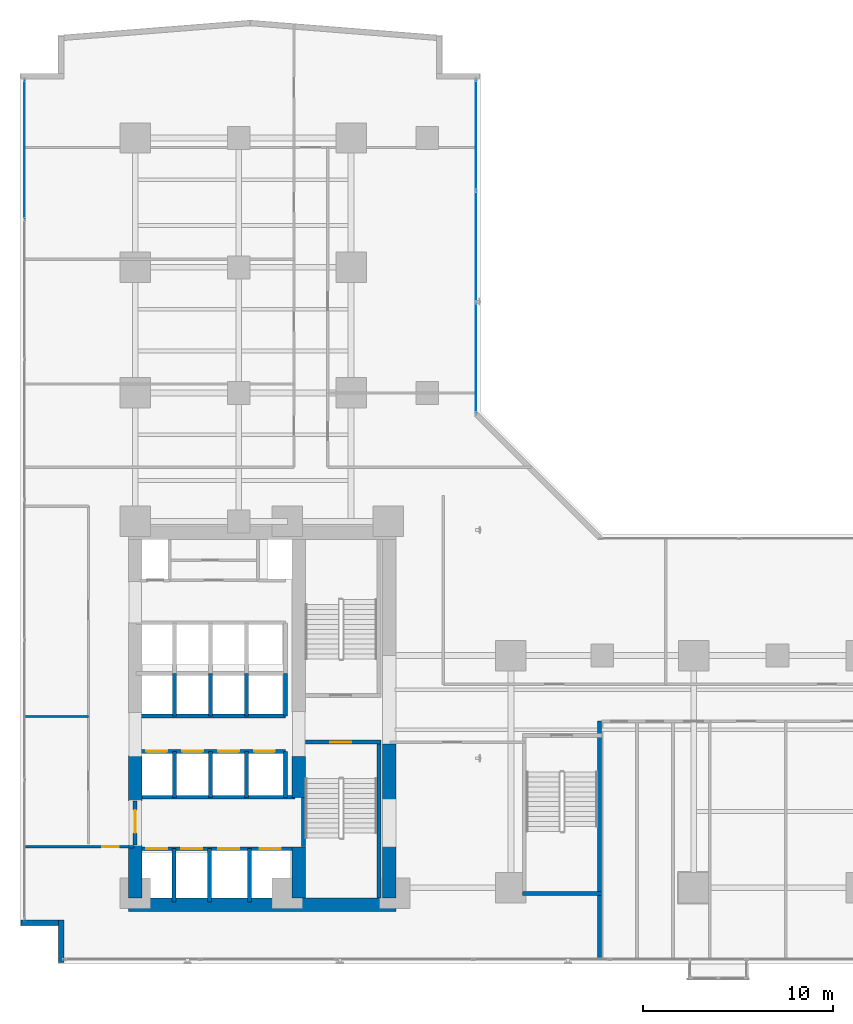
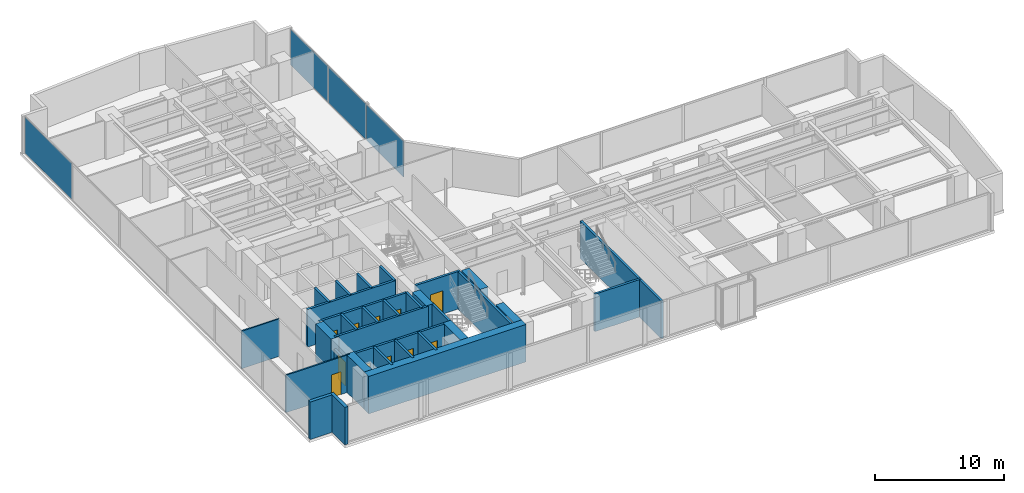
# One storey, part 22 of 28: 32 walls, 11 doors, 4 plates, 11 openings, 2 elements without a shape of their own.
"""IFC4 building model written with IfcOpenShell, lengths in metres."""

from ifc_helpers import new_model, si_unit, direction, frame, frame_2d, origin, origin_with_axes, origin_2d, place, context, subcontext, project, spatial, rectangle, extrude, source, transform, mapped, material, layer, layer_set, type_object, element, fill, aggregate, save


model = new_model("IFC4")

# Units and contexts
model_context = context("Model", 3, precision=1e-05, world=origin(), true_north=direction((0.0, 1.0)))
body_context = subcontext(model_context, "Body", "Model", "MODEL_VIEW")
ifc_project = project(units=[si_unit("LENGTHUNIT", "METRE"), si_unit("AREAUNIT", "SQUARE_METRE"), si_unit("VOLUMEUNIT", "CUBIC_METRE"), si_unit("PLANEANGLEUNIT", "RADIAN"), si_unit("MASSUNIT", "GRAM", prefix="KILO")], contexts=[model_context])

# Site, building, storey
site_placement = place(None, origin())
site = spatial("IfcSite", under=ifc_project, at=site_placement, CompositionType="ELEMENT")
building_placement = place(site_placement, origin())
building = spatial("IfcBuilding", under=site, at=building_placement, Name="Kolvaren Waterfront Exchange", CompositionType="ELEMENT")
storey_placement = place(building_placement, frame((0.0, 0.0, 56.199951171875)))
storey = spatial("IfcBuildingStorey", under=building, at=storey_placement, Name="L14", CompositionType="ELEMENT", Elevation=56.199951171875)

# Curtain wall, plate
ifc_material_1 = material(Name="Anodised aluminium 6063-T6", Category="aluminium")
ifc_layer_1 = layer(ifc_material_1, 0.219970703125, Name="Anodised aluminium 6063-T6")
ifc_layer_set_1 = layer_set([ifc_layer_1], Name="Anodised aluminium 6063-T6")
curtain_wall_type_1 = type_object("IfcCurtainWallType", Name="ARC-CW-SYS2", PredefinedType="USERDEFINED", material=ifc_layer_set_1)
curtain_wall_1_placement = place(storey_placement, origin())
curtain_wall_1 = element("IfcCurtainWall", 1, at=curtain_wall_1_placement, inside=storey, type_object=curtain_wall_type_1, Name="L14 stick curtain wall CW2 (CW-L14-W)", ObjectType="STICK CURTAIN WALL", PredefinedType="USERDEFINED")
ifc_material_2 = material(Name="Acoustic laminated vision glass", Category="glass")
ifc_layer_2 = layer(ifc_material_2, 0.031982421875, Name="Acoustic laminated vision glass")
ifc_layer_set_2 = layer_set([ifc_layer_2], Name="Acoustic laminated vision glass")
plate_type_1 = type_object("IfcPlateType", Name="ARC-CWP-32", PredefinedType="CURTAIN_PANEL", material=ifc_layer_set_2)
shared_shape_1 = source(origin_with_axes(), body_context, "Body", "SweptSolid", [
    extrude(rectangle(XDim=7.24658203125, YDim=0.031982421875, at=origin_2d()), origin(), (0.0, 0.0, 1.0), 3.389892578125),
])
plate_1_placement = place(storey_placement, frame((1.639892578125, 43.99658203125, 0.0751953125), z_axis=(0.0, 0.0, 1.0), x_axis=(0.0, 1.0, 0.0)))
plate_1 = element("IfcPlate", 2, at=plate_1_placement, type_object=plate_type_1, Name="CW2 panel 6.1", PredefinedType="CURTAIN_PANEL", context=body_context, shape_type="MappedRepresentation", body=[
    mapped(shared_shape_1, transform((0.0, 0.0, 0.0), x_axis=(1.0, 0.0, 0.0), y_axis=(0.0, 1.0, 0.0), z_axis=(0.0, 0.0, 1.0), scale=1.0)),
])
aggregate(curtain_wall_1, [plate_1])

# Curtain wall, plates
ifc_material_3 = material(Name="Anodised bronze aluminium 6063-T6", Category="aluminium")
ifc_layer_3 = layer(ifc_material_3, 0.219970703125, Name="Anodised bronze aluminium 6063-T6")
ifc_layer_set_3 = layer_set([ifc_layer_3], Name="Anodised bronze aluminium 6063-T6")
curtain_wall_type_2 = type_object("IfcCurtainWallType", Name="ARC-CW-SYS1", PredefinedType="USERDEFINED", material=ifc_layer_set_3)
curtain_wall_2_placement = place(storey_placement, origin())
curtain_wall_2 = element("IfcCurtainWall", 3, at=curtain_wall_2_placement, inside=storey, type_object=curtain_wall_type_2, Name="L14 stick curtain wall CW1 (CW-L14-NE)", ObjectType="STICK CURTAIN WALL", PredefinedType="USERDEFINED")
ifc_material_4 = material(Name="Bronze solar control vision glass", Category="aluminium")
ifc_layer_4 = layer(ifc_material_4, 0.028076171875, Name="Bronze solar control vision glass")
ifc_layer_set_4 = layer_set([ifc_layer_4], Name="Bronze solar control vision glass")
plate_type_2 = type_object("IfcPlateType", Name="ARC-CWP-28", PredefinedType="CURTAIN_PANEL", material=ifc_layer_set_4)
shared_shape_2 = source(origin_with_axes(), body_context, "Body", "SweptSolid", [
    extrude(rectangle(XDim=5.75, YDim=0.028076171875, at=origin_2d()), origin(), (0.0, 0.0, 1.0), 3.389892578125),
])
plate_2_placement = place(storey_placement, frame((25.360107421875, 33.044921875, 0.0751953125), z_axis=(0.0, 0.0, 1.0), x_axis=(0.0, 1.0, 0.0)))
plate_2 = element("IfcPlate", 4, at=plate_2_placement, type_object=plate_type_2, Name="CW1 panel 1.1", PredefinedType="CURTAIN_PANEL", context=body_context, shape_type="MappedRepresentation", body=[
    mapped(shared_shape_2, transform((0.0, 0.0, 0.0), x_axis=(1.0, 0.0, 0.0), y_axis=(0.0, 1.0, 0.0), z_axis=(0.0, 0.0, 1.0), scale=1.0)),
])
plate_3_placement = place(storey_placement, frame((25.360107421875, 44.7451171875, 0.0751953125), z_axis=(0.0, 0.0, 1.0), x_axis=(0.0, 1.0, 0.0)))
plate_3 = element("IfcPlate", 5, at=plate_3_placement, type_object=plate_type_2, Name="CW1 panel 3.1", PredefinedType="CURTAIN_PANEL", context=body_context, shape_type="MappedRepresentation", body=[
    mapped(shared_shape_2, transform((0.0, 0.0, 0.0), x_axis=(1.0, 0.0, 0.0), y_axis=(0.0, 1.0, 0.0), z_axis=(0.0, 0.0, 1.0), scale=1.0)),
])
shared_shape_3 = source(origin_with_axes(), body_context, "Body", "SweptSolid", [
    extrude(rectangle(XDim=5.7900390625, YDim=0.028076171875, at=origin_2d()), origin(), (0.0, 0.0, 1.0), 3.389892578125),
])
plate_4_placement = place(storey_placement, frame((25.360107421875, 38.89501953125, 0.0751953125), z_axis=(0.0, 0.0, 1.0), x_axis=(0.0, 1.0, 0.0)))
plate_4 = element("IfcPlate", 6, at=plate_4_placement, type_object=plate_type_2, Name="CW1 panel 2.1", PredefinedType="CURTAIN_PANEL", context=body_context, shape_type="MappedRepresentation", body=[
    mapped(shared_shape_3, transform((0.0, 0.0, 0.0), x_axis=(1.0, 0.0, 0.0), y_axis=(0.0, 1.0, 0.0), z_axis=(0.0, 0.0, 1.0), scale=1.0)),
])
aggregate(curtain_wall_2, [plate_2, plate_4, plate_3])

# Walls
ifc_material_5 = material(Name="Precast concrete C40/50", Category="concrete")
ifc_layer_5 = layer(ifc_material_5, 0.280029296875, Name="Precast concrete C40/50")
ifc_layer_set_5 = layer_set([ifc_layer_5], Name="Precast concrete C40/50")
wall_type_1 = type_object("IfcWallType", Name="ARC-EXT-TERR-280", PredefinedType="SOLIDWALL", material=ifc_layer_set_5)
wall_1_placement = place(storey_placement, frame((3.56005859375, 1.260009765625, 0.0), z_axis=(0.0, 0.0, 1.0), x_axis=(0.0, 1.0, 0.0)))
element("IfcWall", 7, at=wall_1_placement, inside=storey, type_object=wall_type_1, Name="L14 notched corner spandrel pier SW-A", PredefinedType="SOLIDWALL", context=body_context, shape_type="SweptSolid", body=[
    extrude(rectangle(XDim=2.239990234375, YDim=0.280029296875, at=frame_2d((1.1201171875, 0.0))), origin(), (0.0, 0.0, 1.0), 3.5400390625),
])
wall_2_placement = place(storey_placement, frame((1.4599609375, 3.360107421875, 0.0), z_axis=(0.0, 0.0, 1.0), x_axis=(1.0, 0.0, 0.0)))
element("IfcWall", 8, at=wall_2_placement, inside=storey, type_object=wall_type_1, Name="L14 notched corner spandrel pier SW-B", PredefinedType="SOLIDWALL", context=body_context, shape_type="SweptSolid", body=[
    extrude(rectangle(XDim=1.9599609375, YDim=0.280029296875, at=frame_2d((0.97998046875, 0.0))), origin(), (0.0, 0.0, 1.0), 3.5400390625),
])

# Wall, opening, door
ifc_layer_6 = layer(ifc_material_5, 0.199951171875, Name="Precast concrete C40/50")
ifc_layer_set_6 = layer_set([ifc_layer_6], Name="Precast concrete C40/50")
wall_type_2 = type_object("IfcWallType", Name="ARC-FIRE-200", PredefinedType="PARTITIONING", material=ifc_layer_set_6)
wall_3_placement = place(storey_placement, frame((16.39990234375, 12.85009765625, 0.0), z_axis=(0.0, 0.0, 1.0), x_axis=(1.0, 0.0, 0.0)))
wall_3 = element("IfcWall", 9, at=wall_3_placement, inside=storey, type_object=wall_type_2, Name="L14 interior wall PW-L14-ST1-THROAT-S", PredefinedType="PARTITIONING", context=body_context, shape_type="SweptSolid", body=[
    extrude(rectangle(XDim=3.960205078125, YDim=0.199951171875, at=frame_2d((1.97998046875, 0.0))), origin(), (0.0, 0.0, 1.0), 3.5400390625),
])
opening_1_placement = place(wall_3_placement, frame((1.3037109375, 0.0, 0.0)))
opening_1 = element("IfcOpeningElement", 10, at=opening_1_placement, cuts=wall_3, Name="Opening FD2", PredefinedType="OPENING", context=body_context, shape_type="SweptSolid", body=[
    extrude(rectangle(XDim=1.10009765625, YDim=2.199951171875, at=frame_2d((0.550048828125, 1.10009765625))), frame((0.0, 0.10986328125, 0.0), z_axis=(0.0, -1.0, 0.0), x_axis=(1.0, 0.0, 0.0)), (0.0, 0.0, 1.0), 0.219970703125),
])
ifc_material_6 = material(Name="Pressed steel smoke-seal fire door", Category="steel")
door_type_1 = type_object("IfcDoorType", Name="ARC-FD-1100", OperationType="NOTDEFINED", PredefinedType="DOOR", material=ifc_material_6)
door_1_placement = place(opening_1_placement, frame((1.10009765625, 0.0, 0.0), z_axis=(0.0, 0.0, 1.0), x_axis=(-1.0, 0.0, 0.0)))
door_1 = element("IfcDoor", 11, at=door_1_placement, inside=storey, type_object=door_type_1, Name="L14 door DR-L14-ST1-IN (FD2)", OperationType="SINGLE_SWING_LEFT", OverallHeight=2.199951171875, OverallWidth=1.10009765625, PredefinedType="DOOR", context=body_context, shape_type="SweptSolid", body=[
    extrude(rectangle(XDim=1.10009765625, YDim=2.199951171875, at=frame_2d((0.550048828125, 1.10009765625))), frame((0.0, 0.02490234375, 0.0), z_axis=(0.0, -1.0, 0.0), x_axis=(1.0, 0.0, 0.0)), (0.0, 0.0, 1.0), 0.050048828125),
])
fill(opening_1, door_1)

# Wall
wall_4_placement = place(storey_placement, frame((7.5, 9.949951171875, 0.0), z_axis=(0.0, 0.0, 1.0), x_axis=(1.0, 0.0, 0.0)))
element("IfcWall", 12, at=wall_4_placement, inside=storey, type_object=wall_type_2, Name="L14 interior wall PW-L14-FF-N", PredefinedType="PARTITIONING", context=body_context, shape_type="SweptSolid", body=[
    extrude(rectangle(XDim=8.35009765625, YDim=0.199951171875, at=frame_2d((4.175048828125, 0.0))), origin(), (0.0, 0.0, 1.0), 3.5400390625),
])

# Wall, opening, door
wall_5_placement = place(storey_placement, frame((7.449951171875, 7.449951171875, 0.0), z_axis=(0.0, 0.0, 1.0), x_axis=(0.0, 1.0, 0.0)))
wall_5 = element("IfcWall", 13, at=wall_5_placement, inside=storey, type_object=wall_type_2, Name="L14 interior wall PW-L14-FF-W-DOOR", PredefinedType="PARTITIONING", context=body_context, shape_type="SweptSolid", body=[
    extrude(rectangle(XDim=2.300048828125, YDim=0.199951171875, at=frame_2d((1.14990234375, 0.0))), origin(), (0.0, 0.0, 1.0), 2.52001953125),
])
opening_2_placement = place(wall_5_placement, frame((0.63330078125, 0.0, 0.0)))
opening_2 = element("IfcOpeningElement", 14, at=opening_2_placement, cuts=wall_5, Name="Opening FD3", PredefinedType="OPENING", context=body_context, shape_type="SweptSolid", body=[
    extrude(rectangle(XDim=1.199951171875, YDim=2.25, at=frame_2d((0.60009765625, 1.125))), frame((0.0, 0.10986328125, 0.0), z_axis=(0.0, -1.0, 0.0), x_axis=(1.0, 0.0, 0.0)), (0.0, 0.0, 1.0), 0.219970703125),
])
ifc_material_7 = material(Name="Pressed steel fire door", Category="steel")
door_type_2 = type_object("IfcDoorType", Name="ARC-FD-1200", OperationType="NOTDEFINED", PredefinedType="DOOR", material=ifc_material_7)
door_2_placement = place(opening_2_placement, frame((1.199951171875, 0.0, 0.0), z_axis=(0.0, 0.0, 1.0), x_axis=(-1.0, 0.0, 0.0)))
door_2 = element("IfcDoor", 15, at=door_2_placement, inside=storey, type_object=door_type_2, Name="L14 door DR-L14-FF-OUT (FD3)", OperationType="SINGLE_SWING_RIGHT", OverallHeight=2.25, OverallWidth=1.199951171875, PredefinedType="DOOR", context=body_context, shape_type="SweptSolid", body=[
    extrude(rectangle(XDim=1.199951171875, YDim=2.25, at=frame_2d((0.60009765625, 1.125))), frame((0.0, 0.02490234375, 0.0), z_axis=(0.0, -1.0, 0.0), x_axis=(1.0, 0.0, 0.0)), (0.0, 0.0, 1.0), 0.050048828125),
])
fill(opening_2, door_2)

ifc_material_8 = material(Name="Acoustic gypsum steel stud", Category="steel")
ifc_layer_7 = layer(ifc_material_8, 0.125, Name="Acoustic gypsum steel stud")
ifc_layer_set_7 = layer_set([ifc_layer_7], Name="Acoustic gypsum steel stud")
wall_type_3 = type_object("IfcWallType", Name="ARC-PART-125", PredefinedType="PARTITIONING", material=ifc_layer_set_7)
wall_6_placement = place(storey_placement, frame((1.639892578125, 7.35009765625, 0.0), z_axis=(0.0, 0.0, 1.0), x_axis=(1.0, 0.0, 0.0)))
wall_6 = element("IfcWall", 16, at=wall_6_placement, inside=storey, type_object=wall_type_3, Name="L14 interior wall PW-L14-SWC-N", PredefinedType="PARTITIONING", context=body_context, shape_type="SweptSolid", body=[
    extrude(rectangle(XDim=5.760009765625, YDim=0.125, at=frame_2d((2.8798828125, 0.0))), origin(), (0.0, 0.0, 1.0), 3.5400390625),
])
opening_3_placement = place(wall_6_placement, frame((4.086669921875, 0.0, 0.0)))
opening_3 = element("IfcOpeningElement", 17, at=opening_3_placement, cuts=wall_6, Name="Opening D01", PredefinedType="OPENING", context=body_context, shape_type="SweptSolid", body=[
    extrude(rectangle(XDim=0.85009765625, YDim=2.14990234375, at=frame_2d((0.425048828125, 1.074951171875))), frame((0.0, 0.072509765625, 0.0), z_axis=(0.0, -1.0, 0.0), x_axis=(1.0, 0.0, 0.0)), (0.0, 0.0, 1.0), 0.14501953125),
])
ifc_material_9 = material(Name="Oak veneer timber leaf", Category="wood")
door_type_3 = type_object("IfcDoorType", Name="ARC-DR-900", OperationType="NOTDEFINED", PredefinedType="DOOR", material=ifc_material_9)
door_3_placement = place(opening_3_placement, origin())
door_3 = element("IfcDoor", 18, at=door_3_placement, inside=storey, type_object=door_type_3, Name="L14 door DR-L14-SWC-D (D01)", OperationType="SINGLE_SWING_LEFT", OverallHeight=2.14990234375, OverallWidth=0.85009765625, PredefinedType="DOOR", context=body_context, shape_type="SweptSolid", body=[
    extrude(rectangle(XDim=0.85009765625, YDim=2.14990234375, at=frame_2d((0.425048828125, 1.074951171875))), frame((0.0, 0.02490234375, 0.0), z_axis=(0.0, -1.0, 0.0), x_axis=(1.0, 0.0, 0.0)), (0.0, 0.0, 1.0), 0.050048828125),
])
fill(opening_3, door_3)

# Walls
wall_7_placement = place(storey_placement, frame((1.639892578125, 14.199951171875, 0.0), z_axis=(0.0, 0.0, 1.0), x_axis=(1.0, 0.0, 0.0)))
element("IfcWall", 19, at=wall_7_placement, inside=storey, type_object=wall_type_3, Name="L14 interior wall PW-L14-WFLANK-MID", PredefinedType="PARTITIONING", context=body_context, shape_type="SweptSolid", body=[
    extrude(rectangle(XDim=3.360107421875, YDim=0.125, at=frame_2d((1.68017578125, 0.0))), origin(), (0.0, 0.0, 1.0), 3.5400390625),
])
ifc_material_10 = material(Name="Concrete C40/50", Category="concrete")
ifc_layer_8 = layer(ifc_material_10, 0.199951171875, Name="Concrete C40/50")
ifc_layer_set_8 = layer_set([ifc_layer_8], Name="Concrete C40/50")
wall_type_4 = type_object("IfcWallType", Name="ARC-SHAFT-200", PredefinedType="PARTITIONING", material=ifc_layer_set_8)
wall_8_placement = place(storey_placement, frame((16.300048828125, 7.360107421875, 0.0), z_axis=(0.0, 0.0, 1.0), x_axis=(0.0, 1.0, 0.0)))
element("IfcWall", 20, at=wall_8_placement, inside=storey, type_object=wall_type_4, Name="L14 structural stairwell wall PW-L14-ST1-W", PredefinedType="SHEAR", context=body_context, shape_type="SweptSolid", body=[
    extrude(rectangle(XDim=2.579833984375, YDim=0.199951171875, at=frame_2d((1.2900390625, 0.0))), origin(), (0.0, 0.0, 1.0), 3.5400390625),
])
wall_9_placement = place(storey_placement, frame((20.260009765625, 4.659912109375, 0.0), z_axis=(0.0, 0.0, 1.0), x_axis=(0.0, 1.0, 0.0)))
element("IfcWall", 21, at=wall_9_placement, inside=storey, type_object=wall_type_4, Name="L14 structural stairwell wall PW-L14-ST1-E", PredefinedType="SHEAR", context=body_context, shape_type="SweptSolid", body=[
    extrude(rectangle(XDim=8.090087890625, YDim=0.199951171875, at=frame_2d((4.044921875, 0.0))), origin(), (0.0, 0.0, 1.0), 3.5400390625),
])
wall_10_placement = place(storey_placement, frame((31.860107421875, 1.43994140625, 0.0), z_axis=(0.0, 0.0, 1.0), x_axis=(0.0, 1.0, 0.0)))
element("IfcWall", 22, at=wall_10_placement, inside=storey, type_object=wall_type_4, Name="L14 structural stairwell wall PW-L14-ST3-E", PredefinedType="SHEAR", context=body_context, shape_type="SweptSolid", body=[
    extrude(rectangle(XDim=12.510009765625, YDim=0.199951171875, at=frame_2d((6.2548828125, 0.0))), origin(), (0.0, 0.0, 1.0), 3.5400390625),
])
wall_11_placement = place(storey_placement, frame((27.800048828125, 4.89990234375, 0.0), z_axis=(0.0, 0.0, 1.0), x_axis=(1.0, 0.0, 0.0)))
element("IfcWall", 23, at=wall_11_placement, inside=storey, type_object=wall_type_4, Name="L14 structural stairwell wall PW-L14-ST3-S", PredefinedType="SHEAR", context=body_context, shape_type="SweptSolid", body=[
    extrude(rectangle(XDim=4.159912109375, YDim=0.199951171875, at=frame_2d((2.080078125, 0.0))), origin(), (0.0, 0.0, 1.0), 3.5400390625),
])

# Wall, openings, doors
wall_12_placement = place(storey_placement, frame((7.5, 7.25, 0.0), z_axis=(0.0, 0.0, 1.0), x_axis=(1.0, 0.0, 0.0)))
wall_12 = element("IfcWall", 24, at=wall_12_placement, inside=storey, type_object=wall_type_4, Name="L14 interior wall PW-L14-FF-S", PredefinedType="PARTITIONING", context=body_context, shape_type="SweptSolid", body=[
    extrude(rectangle(XDim=8.35009765625, YDim=0.199951171875, at=frame_2d((4.175048828125, 0.0))), origin(), (0.0, 0.0, 1.0), 3.5400390625),
])
opening_4_placement = place(wall_12_placement, frame((0.530029296875, 0.0, 0.0)))
opening_4 = element("IfcOpeningElement", 25, at=opening_4_placement, cuts=wall_12, Name="Opening LD1", PredefinedType="OPENING", context=body_context, shape_type="SweptSolid", body=[
    extrude(rectangle(XDim=1.10009765625, YDim=2.199951171875, at=frame_2d((0.550048828125, 1.10009765625))), frame((0.0, 0.10986328125, 0.0), z_axis=(0.0, -1.0, 0.0), x_axis=(1.0, 0.0, 0.0)), (0.0, 0.0, 1.0), 0.219970703125),
])
opening_5_placement = place(wall_12_placement, frame((2.3701171875, 0.0, 0.0)))
opening_5 = element("IfcOpeningElement", 26, at=opening_5_placement, cuts=wall_12, Name="Opening LD1", PredefinedType="OPENING", context=body_context, shape_type="SweptSolid", body=[
    extrude(rectangle(XDim=1.10009765625, YDim=2.199951171875, at=frame_2d((0.550048828125, 1.10009765625))), frame((0.0, 0.10986328125, 0.0), z_axis=(0.0, -1.0, 0.0), x_axis=(1.0, 0.0, 0.0)), (0.0, 0.0, 1.0), 0.219970703125),
])
opening_6_placement = place(wall_12_placement, frame((4.330078125, 0.0, 0.0)))
opening_6 = element("IfcOpeningElement", 27, at=opening_6_placement, cuts=wall_12, Name="Opening LD1", PredefinedType="OPENING", context=body_context, shape_type="SweptSolid", body=[
    extrude(rectangle(XDim=1.10009765625, YDim=2.199951171875, at=frame_2d((0.550048828125, 1.10009765625))), frame((0.0, 0.10986328125, 0.0), z_axis=(0.0, -1.0, 0.0), x_axis=(1.0, 0.0, 0.0)), (0.0, 0.0, 1.0), 0.219970703125),
])
opening_7_placement = place(wall_12_placement, frame((6.5, 0.0, 0.0)))
opening_7 = element("IfcOpeningElement", 28, at=opening_7_placement, cuts=wall_12, Name="Opening LD1", PredefinedType="OPENING", context=body_context, shape_type="SweptSolid", body=[
    extrude(rectangle(XDim=1.10009765625, YDim=2.199951171875, at=frame_2d((0.550048828125, 1.10009765625))), frame((0.0, 0.10986328125, 0.0), z_axis=(0.0, -1.0, 0.0), x_axis=(1.0, 0.0, 0.0)), (0.0, 0.0, 1.0), 0.219970703125),
])
ifc_material_11 = material(Name="Stainless steel sliding landing door", Category="steel")
door_type_4 = type_object("IfcDoorType", Name="ARC-LD-FF", OperationType="SLIDING_TO_LEFT", PredefinedType="DOOR", material=ifc_material_11)
door_4_placement = place(opening_4_placement, origin())
door_4 = element("IfcDoor", 29, at=door_4_placement, inside=storey, type_object=door_type_4, Name="L14 door LD-L14-FFL1 (LD1)", OperationType="SLIDING_TO_LEFT", OverallHeight=2.199951171875, OverallWidth=1.10009765625, PredefinedType="DOOR", context=body_context, shape_type="SweptSolid", body=[
    extrude(rectangle(XDim=1.10009765625, YDim=2.199951171875, at=frame_2d((0.550048828125, 1.10009765625))), frame((0.0, 0.02490234375, 0.0), z_axis=(0.0, -1.0, 0.0), x_axis=(1.0, 0.0, 0.0)), (0.0, 0.0, 1.0), 0.050048828125),
])
fill(opening_4, door_4)
door_5_placement = place(opening_5_placement, origin())
door_5 = element("IfcDoor", 30, at=door_5_placement, inside=storey, type_object=door_type_4, Name="L14 door LD-L14-FFL2 (LD1)", OperationType="SLIDING_TO_LEFT", OverallHeight=2.199951171875, OverallWidth=1.10009765625, PredefinedType="DOOR", context=body_context, shape_type="SweptSolid", body=[
    extrude(rectangle(XDim=1.10009765625, YDim=2.199951171875, at=frame_2d((0.550048828125, 1.10009765625))), frame((0.0, 0.02490234375, 0.0), z_axis=(0.0, -1.0, 0.0), x_axis=(1.0, 0.0, 0.0)), (0.0, 0.0, 1.0), 0.050048828125),
])
fill(opening_5, door_5)
door_6_placement = place(opening_6_placement, origin())
door_6 = element("IfcDoor", 31, at=door_6_placement, inside=storey, type_object=door_type_4, Name="L14 door LD-L14-GL1 (LD1)", OperationType="SLIDING_TO_LEFT", OverallHeight=2.199951171875, OverallWidth=1.10009765625, PredefinedType="DOOR", context=body_context, shape_type="SweptSolid", body=[
    extrude(rectangle(XDim=1.10009765625, YDim=2.199951171875, at=frame_2d((0.550048828125, 1.10009765625))), frame((0.0, 0.02490234375, 0.0), z_axis=(0.0, -1.0, 0.0), x_axis=(1.0, 0.0, 0.0)), (0.0, 0.0, 1.0), 0.050048828125),
])
fill(opening_6, door_6)
door_7_placement = place(opening_7_placement, origin())
door_7 = element("IfcDoor", 32, at=door_7_placement, inside=storey, type_object=door_type_4, Name="L14 door LD-L14-GL2 (LD1)", OperationType="SLIDING_TO_LEFT", OverallHeight=2.199951171875, OverallWidth=1.10009765625, PredefinedType="DOOR", context=body_context, shape_type="SweptSolid", body=[
    extrude(rectangle(XDim=1.10009765625, YDim=2.199951171875, at=frame_2d((0.550048828125, 1.10009765625))), frame((0.0, 0.02490234375, 0.0), z_axis=(0.0, -1.0, 0.0), x_axis=(1.0, 0.0, 0.0)), (0.0, 0.0, 1.0), 0.050048828125),
])
fill(opening_7, door_7)

# Walls
for number, where, z_axis, x_axis, name in (
    (33, (9.5, 4.449951171875, 0.0), (0.0, 0.0, 1.0), (0.0, 1.0, 0.0), "L14 interior wall PW-L14-SH1-DIV-95"),
    (34, (11.360107421875, 4.449951171875, 0.0), (0.0, 0.0, 1.0), (0.0, 1.0, 0.0), "L14 interior wall PW-L14-SH1-DIV-113"),
    (35, (13.4599609375, 4.449951171875, 0.0), (0.0, 0.0, 1.0), (0.0, 1.0, 0.0), "L14 interior wall PW-L14-SH1-DIV-134"),
):
    element("IfcWall", number, at=place(storey_placement, frame(where, z_axis=z_axis, x_axis=x_axis)), inside=storey, type_object=wall_type_4, Name=name, PredefinedType="PARTITIONING", context=body_context, shape_type="SweptSolid", body=[
        extrude(rectangle(XDim=2.800048828125, YDim=0.199951171875, at=frame_2d((1.39990234375, 0.0))), origin(), (0.0, 0.0, 1.0), 3.5400390625),
    ])

# Wall, openings, doors
wall_13_placement = place(storey_placement, frame((7.5, 12.360107421875, 0.0), z_axis=(0.0, 0.0, 1.0), x_axis=(1.0, 0.0, 0.0)))
wall_13 = element("IfcWall", 36, at=wall_13_placement, inside=storey, type_object=wall_type_4, Name="L14 interior wall PW-L14-PL-N", PredefinedType="PARTITIONING", context=body_context, shape_type="SweptSolid", body=[
    extrude(rectangle(XDim=7.85009765625, YDim=0.199951171875, at=frame_2d((3.925048828125, 0.0))), origin(), (0.0, 0.0, 1.0), 3.5400390625),
])
opening_8_placement = place(wall_13_placement, frame((0.530029296875, 0.0, 0.0)))
opening_8 = element("IfcOpeningElement", 37, at=opening_8_placement, cuts=wall_13, Name="Opening LD2", PredefinedType="OPENING", context=body_context, shape_type="SweptSolid", body=[
    extrude(rectangle(XDim=1.10009765625, YDim=2.199951171875, at=frame_2d((0.550048828125, 1.10009765625))), frame((0.0, 0.10986328125, 0.0), z_axis=(0.0, -1.0, 0.0), x_axis=(1.0, 0.0, 0.0)), (0.0, 0.0, 1.0), 0.219970703125),
])
opening_9_placement = place(wall_13_placement, frame((2.419921875, 0.0, 0.0)))
opening_9 = element("IfcOpeningElement", 38, at=opening_9_placement, cuts=wall_13, Name="Opening LD2", PredefinedType="OPENING", context=body_context, shape_type="SweptSolid", body=[
    extrude(rectangle(XDim=1.10009765625, YDim=2.199951171875, at=frame_2d((0.550048828125, 1.10009765625))), frame((0.0, 0.10986328125, 0.0), z_axis=(0.0, -1.0, 0.0), x_axis=(1.0, 0.0, 0.0)), (0.0, 0.0, 1.0), 0.219970703125),
])
opening_10_placement = place(wall_13_placement, frame((4.31005859375, 0.0, 0.0)))
opening_10 = element("IfcOpeningElement", 39, at=opening_10_placement, cuts=wall_13, Name="Opening LD2", PredefinedType="OPENING", context=body_context, shape_type="SweptSolid", body=[
    extrude(rectangle(XDim=1.10009765625, YDim=2.199951171875, at=frame_2d((0.550048828125, 1.10009765625))), frame((0.0, 0.10986328125, 0.0), z_axis=(0.0, -1.0, 0.0), x_axis=(1.0, 0.0, 0.0)), (0.0, 0.0, 1.0), 0.219970703125),
])
opening_11_placement = place(wall_13_placement, frame((6.199951171875, 0.0, 0.0)))
opening_11 = element("IfcOpeningElement", 40, at=opening_11_placement, cuts=wall_13, Name="Opening LD2", PredefinedType="OPENING", context=body_context, shape_type="SweptSolid", body=[
    extrude(rectangle(XDim=1.10009765625, YDim=2.199951171875, at=frame_2d((0.550048828125, 1.10009765625))), frame((0.0, 0.10986328125, 0.0), z_axis=(0.0, -1.0, 0.0), x_axis=(1.0, 0.0, 0.0)), (0.0, 0.0, 1.0), 0.219970703125),
])
ifc_material_12 = material(Name="Brushed bronze sliding landing door", Category="aluminium")
door_type_5 = type_object("IfcDoorType", Name="ARC-LD-PAX", OperationType="SLIDING_TO_LEFT", PredefinedType="DOOR", material=ifc_material_12)
door_8_placement = place(opening_8_placement, origin())
door_8 = element("IfcDoor", 41, at=door_8_placement, inside=storey, type_object=door_type_5, Name="L14 door LD-L14-PL1 (LD2)", OperationType="SLIDING_TO_LEFT", OverallHeight=2.199951171875, OverallWidth=1.10009765625, PredefinedType="DOOR", context=body_context, shape_type="SweptSolid", body=[
    extrude(rectangle(XDim=1.10009765625, YDim=2.199951171875, at=frame_2d((0.550048828125, 1.10009765625))), frame((0.0, 0.02490234375, 0.0), z_axis=(0.0, -1.0, 0.0), x_axis=(1.0, 0.0, 0.0)), (0.0, 0.0, 1.0), 0.050048828125),
])
fill(opening_8, door_8)
door_9_placement = place(opening_9_placement, origin())
door_9 = element("IfcDoor", 42, at=door_9_placement, inside=storey, type_object=door_type_5, Name="L14 door LD-L14-PL2 (LD2)", OperationType="SLIDING_TO_LEFT", OverallHeight=2.199951171875, OverallWidth=1.10009765625, PredefinedType="DOOR", context=body_context, shape_type="SweptSolid", body=[
    extrude(rectangle(XDim=1.10009765625, YDim=2.199951171875, at=frame_2d((0.550048828125, 1.10009765625))), frame((0.0, 0.02490234375, 0.0), z_axis=(0.0, -1.0, 0.0), x_axis=(1.0, 0.0, 0.0)), (0.0, 0.0, 1.0), 0.050048828125),
])
fill(opening_9, door_9)
door_10_placement = place(opening_10_placement, origin())
door_10 = element("IfcDoor", 43, at=door_10_placement, inside=storey, type_object=door_type_5, Name="L14 door LD-L14-PL3 (LD2)", OperationType="SLIDING_TO_LEFT", OverallHeight=2.199951171875, OverallWidth=1.10009765625, PredefinedType="DOOR", context=body_context, shape_type="SweptSolid", body=[
    extrude(rectangle(XDim=1.10009765625, YDim=2.199951171875, at=frame_2d((0.550048828125, 1.10009765625))), frame((0.0, 0.02490234375, 0.0), z_axis=(0.0, -1.0, 0.0), x_axis=(1.0, 0.0, 0.0)), (0.0, 0.0, 1.0), 0.050048828125),
])
fill(opening_10, door_10)
door_11_placement = place(opening_11_placement, origin())
door_11 = element("IfcDoor", 44, at=door_11_placement, inside=storey, type_object=door_type_5, Name="L14 door LD-L14-PL4 (LD2)", OperationType="SLIDING_TO_LEFT", OverallHeight=2.199951171875, OverallWidth=1.10009765625, PredefinedType="DOOR", context=body_context, shape_type="SweptSolid", body=[
    extrude(rectangle(XDim=1.10009765625, YDim=2.199951171875, at=frame_2d((0.550048828125, 1.10009765625))), frame((0.0, 0.02490234375, 0.0), z_axis=(0.0, -1.0, 0.0), x_axis=(1.0, 0.0, 0.0)), (0.0, 0.0, 1.0), 0.050048828125),
])
fill(opening_11, door_11)

# Walls
for number, where, z_axis, x_axis, name in (
    (45, (15.35009765625, 9.949951171875, 0.0), (0.0, 0.0, 1.0), (0.0, 1.0, 0.0), "L14 interior wall PW-L14-PL-E"),
    (46, (9.52001953125, 9.949951171875, 0.0), (0.0, 0.0, 1.0), (0.0, 1.0, 0.0), "L14 interior wall PW-L14-SH2-DIV-95"),
    (47, (11.409912109375, 9.949951171875, 0.0), (0.0, 0.0, 1.0), (0.0, 1.0, 0.0), "L14 interior wall PW-L14-SH2-DIV-114"),
    (48, (13.300048828125, 9.949951171875, 0.0), (0.0, 0.0, 1.0), (0.0, 1.0, 0.0), "L14 interior wall PW-L14-SH2-DIV-133"),
):
    element("IfcWall", number, at=place(storey_placement, frame(where, z_axis=z_axis, x_axis=x_axis)), inside=storey, type_object=wall_type_4, Name=name, PredefinedType="PARTITIONING", context=body_context, shape_type="SweptSolid", body=[
        extrude(rectangle(XDim=2.41015625, YDim=0.199951171875, at=frame_2d((1.205078125, 0.0))), origin(), (0.0, 0.0, 1.0), 3.5400390625),
    ])
wall_14_placement = place(storey_placement, frame((7.5, 14.219970703125, 0.0), z_axis=(0.0, 0.0, 1.0), x_axis=(1.0, 0.0, 0.0)))
element("IfcWall", 49, at=wall_14_placement, inside=storey, type_object=wall_type_4, Name="L14 interior wall PW-L14-PM-S", PredefinedType="PARTITIONING", context=body_context, shape_type="SweptSolid", body=[
    extrude(rectangle(XDim=7.85009765625, YDim=0.199951171875, at=frame_2d((3.925048828125, 0.0))), origin(), (0.0, 0.0, 1.0), 3.5400390625),
])
for number, where, z_axis, x_axis, name in (
    (50, (15.35009765625, 14.219970703125, 0.0), (0.0, 0.0, 1.0), (0.0, 1.0, 0.0), "L14 interior wall PW-L14-PM-E"),
    (51, (9.52001953125, 14.219970703125, 0.0), (0.0, 0.0, 1.0), (0.0, 1.0, 0.0), "L14 interior wall PW-L14-SH3-DIV-95"),
    (52, (11.409912109375, 14.219970703125, 0.0), (0.0, 0.0, 1.0), (0.0, 1.0, 0.0), "L14 interior wall PW-L14-SH3-DIV-114"),
    (53, (13.300048828125, 14.219970703125, 0.0), (0.0, 0.0, 1.0), (0.0, 1.0, 0.0), "L14 interior wall PW-L14-SH3-DIV-133"),
):
    element("IfcWall", number, at=place(storey_placement, frame(where, z_axis=z_axis, x_axis=x_axis)), inside=storey, type_object=wall_type_4, Name=name, PredefinedType="PARTITIONING", context=body_context, shape_type="SweptSolid", body=[
        extrude(rectangle(XDim=2.22998046875, YDim=0.199951171875, at=frame_2d((1.114990234375, 0.0))), origin(), (0.0, 0.0, 1.0), 3.5400390625),
    ])
ifc_material_13 = material(Name="Concrete C70/85", Category="concrete")
ifc_layer_9 = layer(ifc_material_13, 0.699951171875, Name="Concrete C70/85")
ifc_layer_set_9 = layer_set([ifc_layer_9], Name="Concrete C70/85")
wall_type_5 = type_object("IfcWallType", Name="STR-CWALL-700", PredefinedType="SHEAR", material=ifc_layer_set_9)
wall_15_placement = place(storey_placement, frame((7.10009765625, 4.300048828125, 0.0), z_axis=(0.0, 0.0, 1.0), x_axis=(1.0, 0.0, 0.0)))
element("IfcWall", 54, at=wall_15_placement, inside=storey, type_object=wall_type_5, Name="L14 rear-core shear wall S", PredefinedType="SHEAR", context=body_context, shape_type="SweptSolid", body=[
    extrude(rectangle(XDim=14.0498046875, YDim=0.699951171875, at=frame_2d((7.02490234375, 0.0))), origin(), (0.0, 0.0, 1.0), 3.5400390625),
])
wall_16_placement = place(storey_placement, frame((7.449951171875, 4.64990234375, 0.0), z_axis=(0.0, 0.0, 1.0), x_axis=(0.0, 1.0, 0.0)))
element("IfcWall", 55, at=wall_16_placement, inside=storey, type_object=wall_type_5, Name="L14 rear-core shear wall W1", PredefinedType="SHEAR", context=body_context, shape_type="SweptSolid", body=[
    extrude(rectangle(XDim=2.800048828125, YDim=0.699951171875, at=frame_2d((1.39990234375, 0.0))), origin(), (0.0, 0.0, 1.0), 3.5400390625),
])
wall_17_placement = place(storey_placement, frame((7.449951171875, 9.75, 0.0), z_axis=(0.0, 0.0, 1.0), x_axis=(0.0, 1.0, 0.0)))
element("IfcWall", 56, at=wall_17_placement, inside=storey, type_object=wall_type_5, Name="L14 rear-core shear wall W2A", PredefinedType="SHEAR", context=body_context, shape_type="SweptSolid", body=[
    extrude(rectangle(XDim=2.39990234375, YDim=0.699951171875, at=frame_2d((1.199951171875, 0.0))), origin(), (0.0, 0.0, 1.0), 3.5400390625),
])
wall_18_placement = place(storey_placement, frame((20.800048828125, 4.64990234375, 0.0), z_axis=(0.0, 0.0, 1.0), x_axis=(0.0, 1.0, 0.0)))
element("IfcWall", 57, at=wall_18_placement, inside=storey, type_object=wall_type_5, Name="L14 rear-core shear wall E1", PredefinedType="SHEAR", context=body_context, shape_type="SweptSolid", body=[
    extrude(rectangle(XDim=2.75, YDim=0.699951171875, at=frame_2d((1.375, 0.0))), origin(), (0.0, 0.0, 1.0), 3.5400390625),
])
wall_19_placement = place(storey_placement, frame((20.800048828125, 9.800048828125, 0.0), z_axis=(0.0, 0.0, 1.0), x_axis=(0.0, 1.0, 0.0)))
element("IfcWall", 58, at=wall_19_placement, inside=storey, type_object=wall_type_5, Name="L14 rear-core shear wall E2", PredefinedType="SHEAR", context=body_context, shape_type="SweptSolid", body=[
    extrude(rectangle(XDim=2.949951171875, YDim=0.699951171875, at=frame_2d((1.47509765625, 0.0))), origin(), (0.0, 0.0, 1.0), 3.5400390625),
])
wall_20_placement = place(storey_placement, frame((16.050048828125, 4.64990234375, 0.0), z_axis=(0.0, 0.0, 1.0), x_axis=(0.0, 1.0, 0.0)))
element("IfcWall", 59, at=wall_20_placement, inside=storey, type_object=wall_type_5, Name="L14 rear-core shear wall M1", PredefinedType="SHEAR", context=body_context, shape_type="SweptSolid", body=[
    extrude(rectangle(XDim=2.7001953125, YDim=0.699951171875, at=frame_2d((1.35009765625, 0.0))), origin(), (0.0, 0.0, 1.0), 3.5400390625),
])
wall_21_placement = place(storey_placement, frame((16.050048828125, 9.949951171875, 0.0), z_axis=(0.0, 0.0, 1.0), x_axis=(0.0, 1.0, 0.0)))
element("IfcWall", 60, at=wall_21_placement, inside=storey, type_object=wall_type_5, Name="L14 rear-core shear wall M2", PredefinedType="SHEAR", context=body_context, shape_type="SweptSolid", body=[
    extrude(rectangle(XDim=2.150146484375, YDim=0.699951171875, at=frame_2d((1.0751953125, 0.0))), origin(), (0.0, 0.0, 1.0), 3.5400390625),
])

save(model, "model.ifc")
